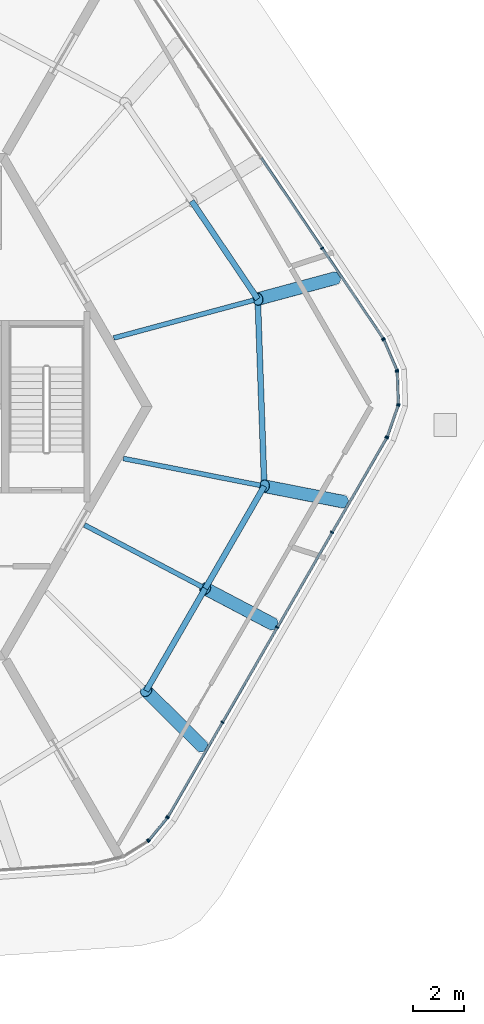
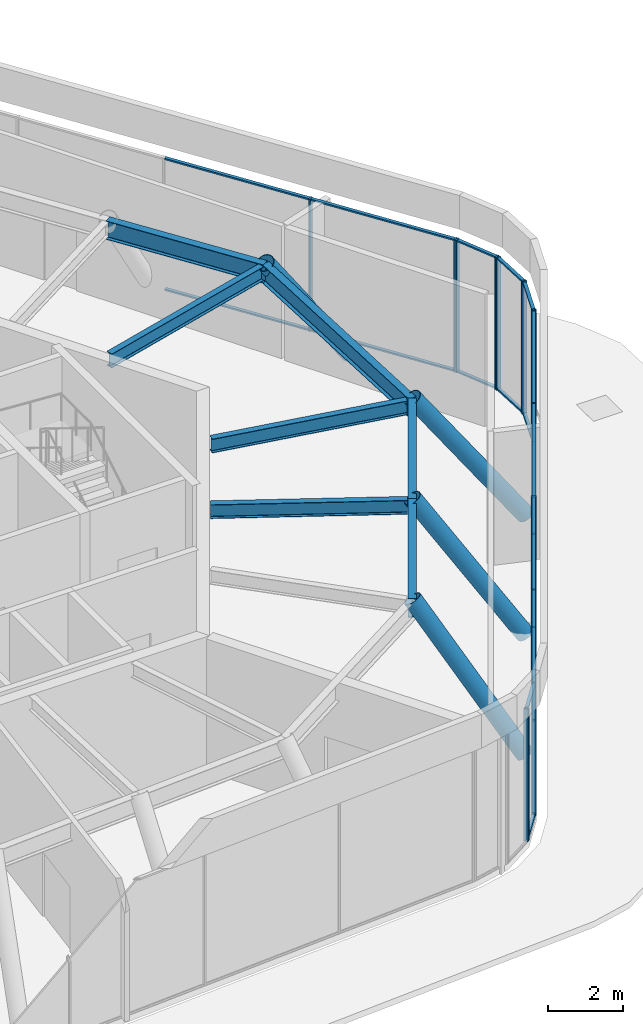
# One storey, part 5 of 12: 40 members, 7 beams, 7 elements without a shape of their own.
"""IFC4 building model written with IfcOpenShell, lengths in metres."""

from ifc_helpers import new_model, si_unit, direction, frame, origin, origin_2d, place, context, subcontext, project, spatial, rectangle, hollow_circle, i_section, extrude, material, material_profile, profile_set, type_object, element, aggregate, save


model = new_model("IFC4")

# Units and contexts
model_context = context("Model", 3, precision=1e-05, world=origin(), true_north=direction((0.0, 1.0)))
body_context = subcontext(model_context, "Body", "Model", "MODEL_VIEW")
ifc_project = project(units=[si_unit("LENGTHUNIT", "METRE"), si_unit("AREAUNIT", "SQUARE_METRE"), si_unit("VOLUMEUNIT", "CUBIC_METRE"), si_unit("PLANEANGLEUNIT", "RADIAN"), si_unit("MASSUNIT", "GRAM", prefix="KILO")], contexts=[model_context])

# Site, building, storey
site_placement = place(None, origin())
site = spatial("IfcSite", under=ifc_project, at=site_placement, CompositionType="ELEMENT")
building_placement = place(site_placement, origin())
building = spatial("IfcBuilding", under=site, at=building_placement, Name="Tarnside Tower", CompositionType="ELEMENT")
storey_placement = place(building_placement, frame((0.0, 0.0, 392.699951171875)))
storey = spatial("IfcBuildingStorey", under=building, at=storey_placement, Name="L93", CompositionType="ELEMENT", Elevation=392.699951171875)

# Curtain wall, members
ifc_material_1 = material(Name="Crown glazing wall", Category="glass")
curtain_wall_type = type_object("IfcCurtainWallType", Name="Crown glazing wall", PredefinedType="NOTDEFINED", material=ifc_material_1)
curtain_wall_1_placement = place(storey_placement, origin())
curtain_wall_1 = element("IfcCurtainWall", 1, at=curtain_wall_1_placement, inside=storey, type_object=curtain_wall_type, Name="Crown glazing L93 04", PredefinedType="NOTDEFINED")
ifc_material_2 = material(Name="Aluminium alloy 6063", Category="aluminium")
ifc_material_profile_1 = material_profile(ifc_material_2, rectangle(XDim=0.139892578125, YDim=0.050048828125, at=origin_2d()), Name="Crown glazing mullion 50 x 140")
ifc_profile_set_1 = profile_set([ifc_material_profile_1], Name="Aluminium alloy 6063")
member_type_1 = type_object("IfcMemberType", Name="Crown glazing mullion 50 x 140", PredefinedType="MULLION", material=ifc_profile_set_1)
member_1_placement = place(storey_placement, frame((18.2548828125, 6.251953125, 0.0), z_axis=(0.0, 0.0, 1.0), x_axis=(0.829037572565, 0.559192903456, 0.0)))
member_1 = element("IfcMember", 2, at=member_1_placement, type_object=member_type_1, Name="CW6 mullion 4", PredefinedType="MULLION", context=body_context, shape_type="SweptSolid", body=[
    extrude(rectangle(XDim=0.139892578125, YDim=0.050048828125, at=origin_2d()), origin(), (0.0, 0.0, 1.0), 4.300048828125),
])
member_2_placement = place(storey_placement, frame((20.660888671875, 2.684814453125, 0.0), z_axis=(0.0, 0.0, 1.0), x_axis=(0.829037572565, 0.559192903456, 0.0)))
member_2 = element("IfcMember", 3, at=member_2_placement, type_object=member_type_1, Name="CW6 mullion 5", PredefinedType="MULLION", context=body_context, shape_type="SweptSolid", body=[
    extrude(rectangle(XDim=0.139892578125, YDim=0.050048828125, at=origin_2d()), origin(), (0.0, 0.0, 1.0), 4.300048828125),
])

curtain_wall_2_placement = place(storey_placement, origin())
curtain_wall_2 = element("IfcCurtainWall", 4, at=curtain_wall_2_placement, inside=storey, type_object=curtain_wall_type, Name="Crown glazing L93 05", PredefinedType="NOTDEFINED")
member_3_placement = place(storey_placement, frame((20.684814453125, 2.64111328125, 0.0), z_axis=(0.0, 0.0, 1.0), x_axis=(0.918216106924, 0.396079765938, 0.0)))
member_3 = element("IfcMember", 5, at=member_3_placement, type_object=member_type_1, Name="CW6 mullion 1", PredefinedType="MULLION", context=body_context, shape_type="SweptSolid", body=[
    extrude(rectangle(XDim=0.139892578125, YDim=0.050048828125, at=origin_2d()), origin(), (0.0, 0.0, 1.0), 4.300048828125),
])
member_4_placement = place(storey_placement, frame((21.204833984375, 1.435302734375, 0.0), z_axis=(0.0, 0.0, 1.0), x_axis=(0.918216106924, 0.396079765938, 0.0)))
member_4 = element("IfcMember", 6, at=member_4_placement, type_object=member_type_1, Name="CW6 mullion 2", PredefinedType="MULLION", context=body_context, shape_type="SweptSolid", body=[
    extrude(rectangle(XDim=0.139892578125, YDim=0.050048828125, at=origin_2d()), origin(), (0.0, 0.0, 1.0), 4.300048828125),
])

curtain_wall_3_placement = place(storey_placement, origin())
curtain_wall_3 = element("IfcCurtainWall", 7, at=curtain_wall_3_placement, inside=storey, type_object=curtain_wall_type, Name="Crown glazing L93 06", PredefinedType="NOTDEFINED")
member_5_placement = place(storey_placement, frame((21.215576171875, 1.387451171875, 0.0), z_axis=(0.0, 0.0, 1.0), x_axis=(0.999390827004, 0.034899497121, 0.0)))
member_5 = element("IfcMember", 8, at=member_5_placement, type_object=member_type_1, Name="CW6 mullion 1", PredefinedType="MULLION", context=body_context, shape_type="SweptSolid", body=[
    extrude(rectangle(XDim=0.139892578125, YDim=0.050048828125, at=origin_2d()), origin(), (0.0, 0.0, 1.0), 4.300048828125),
])
member_6_placement = place(storey_placement, frame((21.2607421875, 0.095947265625, 0.0), z_axis=(0.0, 0.0, 1.0), x_axis=(0.999390827004, 0.034899497121, 0.0)))
member_6 = element("IfcMember", 9, at=member_6_placement, type_object=member_type_1, Name="CW6 mullion 2", PredefinedType="MULLION", context=body_context, shape_type="SweptSolid", body=[
    extrude(rectangle(XDim=0.139892578125, YDim=0.050048828125, at=origin_2d()), origin(), (0.0, 0.0, 1.0), 4.300048828125),
])

curtain_wall_4_placement = place(storey_placement, origin())
curtain_wall_4 = element("IfcCurtainWall", 10, at=curtain_wall_4_placement, inside=storey, type_object=curtain_wall_type, Name="Crown glazing L93 07", PredefinedType="NOTDEFINED")
member_7_placement = place(storey_placement, frame((21.25341796875, 0.04736328125, 0.0), z_axis=(0.0, 0.0, 1.0), x_axis=(0.943608506424, -0.331063417797, 0.0)))
member_7 = element("IfcMember", 11, at=member_7_placement, type_object=member_type_1, Name="CW6 mullion 1", PredefinedType="MULLION", context=body_context, shape_type="SweptSolid", body=[
    extrude(rectangle(XDim=0.139892578125, YDim=0.050048828125, at=origin_2d()), origin(), (0.0, 0.0, 1.0), 4.300048828125),
])
member_8_placement = place(storey_placement, frame((20.818603515625, -1.19189453125, 0.0), z_axis=(0.0, 0.0, 1.0), x_axis=(0.943608506424, -0.331063417797, 0.0)))
member_8 = element("IfcMember", 12, at=member_8_placement, type_object=member_type_1, Name="CW6 mullion 2", PredefinedType="MULLION", context=body_context, shape_type="SweptSolid", body=[
    extrude(rectangle(XDim=0.139892578125, YDim=0.050048828125, at=origin_2d()), origin(), (0.0, 0.0, 1.0), 4.300048828125),
])

curtain_wall_5_placement = place(storey_placement, origin())
curtain_wall_5 = element("IfcCurtainWall", 13, at=curtain_wall_5_placement, inside=storey, type_object=curtain_wall_type, Name="Crown glazing L93 08", PredefinedType="NOTDEFINED")
member_9_placement = place(storey_placement, frame((20.7978515625, -1.237060546875, 0.0), z_axis=(0.0, 0.0, 1.0), x_axis=(0.866025403758, -0.500000000045, 0.0)))
member_9 = element("IfcMember", 14, at=member_9_placement, type_object=member_type_1, Name="CW6 mullion 1", PredefinedType="MULLION", context=body_context, shape_type="SweptSolid", body=[
    extrude(rectangle(XDim=0.139892578125, YDim=0.050048828125, at=origin_2d()), origin(), (0.0, 0.0, 1.0), 4.300048828125),
])
member_10_placement = place(storey_placement, frame((18.646484375, -4.96337890625, 0.0), z_axis=(0.0, 0.0, 1.0), x_axis=(0.866025403758, -0.500000000045, 0.0)))
member_10 = element("IfcMember", 15, at=member_10_placement, type_object=member_type_1, Name="CW6 mullion 2", PredefinedType="MULLION", context=body_context, shape_type="SweptSolid", body=[
    extrude(rectangle(XDim=0.139892578125, YDim=0.050048828125, at=origin_2d()), origin(), (0.0, 0.0, 1.0), 4.300048828125),
])
member_11_placement = place(storey_placement, frame((16.482666015625, -8.7109375, 0.0), z_axis=(0.0, 0.0, 1.0), x_axis=(0.866025403758, -0.500000000045, 0.0)))
member_11 = element("IfcMember", 16, at=member_11_placement, type_object=member_type_1, Name="CW6 mullion 3", PredefinedType="MULLION", context=body_context, shape_type="SweptSolid", body=[
    extrude(rectangle(XDim=0.139892578125, YDim=0.050048828125, at=origin_2d()), origin(), (0.0, 0.0, 1.0), 4.300048828125),
])
member_12_placement = place(storey_placement, frame((14.319091796875, -12.458740234375, 0.0), z_axis=(0.0, 0.0, 1.0), x_axis=(0.866025403758, -0.500000000045, 0.0)))
member_12 = element("IfcMember", 17, at=member_12_placement, type_object=member_type_1, Name="CW6 mullion 4", PredefinedType="MULLION", context=body_context, shape_type="SweptSolid", body=[
    extrude(rectangle(XDim=0.139892578125, YDim=0.050048828125, at=origin_2d()), origin(), (0.0, 0.0, 1.0), 4.300048828125),
])
member_13_placement = place(storey_placement, frame((12.167724609375, -16.184814453125, 0.0), z_axis=(0.0, 0.0, 1.0), x_axis=(0.866025403758, -0.500000000045, 0.0)))
member_13 = element("IfcMember", 18, at=member_13_placement, type_object=member_type_1, Name="CW6 mullion 5", PredefinedType="MULLION", context=body_context, shape_type="SweptSolid", body=[
    extrude(rectangle(XDim=0.139892578125, YDim=0.050048828125, at=origin_2d()), origin(), (0.0, 0.0, 1.0), 4.300048828125),
])

curtain_wall_6_placement = place(storey_placement, origin())
curtain_wall_6 = element("IfcCurtainWall", 19, at=curtain_wall_6_placement, inside=storey, type_object=curtain_wall_type, Name="Crown glazing L93 09", PredefinedType="NOTDEFINED")
member_14_placement = place(storey_placement, frame((12.139404296875, -16.225830078125, 0.0), z_axis=(0.0, 0.0, 1.0), x_axis=(0.773471592981, -0.633830967097, 0.0)))
member_14 = element("IfcMember", 20, at=member_14_placement, type_object=member_type_1, Name="CW6 mullion 1", PredefinedType="MULLION", context=body_context, shape_type="SweptSolid", body=[
    extrude(rectangle(XDim=0.139892578125, YDim=0.050048828125, at=origin_2d()), origin(), (0.0, 0.0, 1.0), 4.300048828125),
])
member_15_placement = place(storey_placement, frame((11.413818359375, -17.111328125, 0.0), z_axis=(0.0, 0.0, 1.0), x_axis=(0.773471592981, -0.633830967097, 0.0)))
member_15 = element("IfcMember", 21, at=member_15_placement, type_object=member_type_1, Name="CW6 mullion 2", PredefinedType="MULLION", context=body_context, shape_type="SweptSolid", body=[
    extrude(rectangle(XDim=0.139892578125, YDim=0.050048828125, at=origin_2d()), origin(), (0.0, 0.0, 1.0), 4.300048828125),
])

# Curtain wall, member
curtain_wall_7_placement = place(storey_placement, origin())
curtain_wall_7 = element("IfcCurtainWall", 22, at=curtain_wall_7_placement, inside=storey, type_object=curtain_wall_type, Name="Crown glazing L93 10", PredefinedType="NOTDEFINED")
member_16_placement = place(storey_placement, frame((11.376708984375, -17.143798828125, 0.0), z_axis=(0.0, 0.0, 1.0), x_axis=(0.5299192641, -0.84804809624, 0.0)))
member_16 = element("IfcMember", 23, at=member_16_placement, type_object=member_type_1, Name="CW6 mullion 1", PredefinedType="MULLION", context=body_context, shape_type="SweptSolid", body=[
    extrude(rectangle(XDim=0.139892578125, YDim=0.050048828125, at=origin_2d()), origin(), (0.0, 0.0, 1.0), 4.300048828125),
])
aggregate(curtain_wall_7, [member_16])

# Member
ifc_material_profile_2 = material_profile(ifc_material_2, rectangle(XDim=0.10009765625, YDim=0.050048828125, at=origin_2d()), Name="Crown glazing transom 50 x 100")
ifc_profile_set_2 = profile_set([ifc_material_profile_2], Name="Aluminium alloy 6063")
member_type_2 = type_object("IfcMemberType", Name="Crown glazing transom 50 x 100", PredefinedType="USERDEFINED", material=ifc_profile_set_2)
member_17_placement = place(storey_placement, frame((15.848876953125, 9.81884765625, 0.025146484375), z_axis=(0.559222865154, -0.829017362356, 0.0), x_axis=(0.829017362356, 0.559222865154, 0.0)))
member_17 = element("IfcMember", 24, at=member_17_placement, type_object=member_type_2, Name="CW6 transom 3.1", ObjectType="TRANSOM", PredefinedType="USERDEFINED", context=body_context, shape_type="SweptSolid", body=[
    extrude(rectangle(XDim=0.10009765625, YDim=0.050048828125, at=origin_2d()), origin(), (0.0, 0.0, 1.0), 4.277587890625),
])

member_18_placement = place(storey_placement, frame((15.848876953125, 9.81884765625, 4.275146484375), z_axis=(0.559222865154, -0.829017362356, 0.0), x_axis=(0.829017362356, 0.559222865154, 0.0)))
member_18 = element("IfcMember", 25, at=member_18_placement, type_object=member_type_2, Name="CW6 transom 3.2", ObjectType="TRANSOM", PredefinedType="USERDEFINED", context=body_context, shape_type="SweptSolid", body=[
    extrude(rectangle(XDim=0.10009765625, YDim=0.050048828125, at=origin_2d()), origin(), (0.0, 0.0, 1.0), 4.277587890625),
])

member_19_placement = place(storey_placement, frame((18.268798828125, 6.231201171875, 0.025146484375), z_axis=(0.559209574091, -0.829026327836, 0.0), x_axis=(0.829026327836, 0.559209574091, 0.0)))
member_19 = element("IfcMember", 26, at=member_19_placement, type_object=member_type_2, Name="CW6 transom 4.1", ObjectType="TRANSOM", PredefinedType="USERDEFINED", context=body_context, shape_type="SweptSolid", body=[
    extrude(rectangle(XDim=0.10009765625, YDim=0.050048828125, at=origin_2d()), origin(), (0.0, 0.0, 1.0), 4.252685546875),
])

member_20_placement = place(storey_placement, frame((18.268798828125, 6.231201171875, 4.275146484375), z_axis=(0.559209574091, -0.829026327836, 0.0), x_axis=(0.829026327836, 0.559209574091, 0.0)))
member_20 = element("IfcMember", 27, at=member_20_placement, type_object=member_type_2, Name="CW6 transom 4.2", ObjectType="TRANSOM", PredefinedType="USERDEFINED", context=body_context, shape_type="SweptSolid", body=[
    extrude(rectangle(XDim=0.10009765625, YDim=0.050048828125, at=origin_2d()), origin(), (0.0, 0.0, 1.0), 4.252685546875),
])

aggregate(curtain_wall_1, [member_1, member_2, member_17, member_18, member_19, member_20])

member_21_placement = place(storey_placement, frame((20.694580078125, 2.6181640625, 0.025146484375), z_axis=(0.396180566146, -0.918172619396, 0.0), x_axis=(0.918172619396, 0.396180566146, 0.0)))
member_21 = element("IfcMember", 28, at=member_21_placement, type_object=member_type_2, Name="CW6 transom 1.1", ObjectType="TRANSOM", PredefinedType="USERDEFINED", context=body_context, shape_type="SweptSolid", body=[
    extrude(rectangle(XDim=0.10009765625, YDim=0.050048828125, at=origin_2d()), origin(), (0.0, 0.0, 1.0), 1.26318359375),
])

member_22_placement = place(storey_placement, frame((20.694580078125, 2.6181640625, 4.275146484375), z_axis=(0.396180566146, -0.918172619396, 0.0), x_axis=(0.918172619396, 0.396180566146, 0.0)))
member_22 = element("IfcMember", 29, at=member_22_placement, type_object=member_type_2, Name="CW6 transom 1.2", ObjectType="TRANSOM", PredefinedType="USERDEFINED", context=body_context, shape_type="SweptSolid", body=[
    extrude(rectangle(XDim=0.10009765625, YDim=0.050048828125, at=origin_2d()), origin(), (0.0, 0.0, 1.0), 1.26318359375),
])

aggregate(curtain_wall_2, [member_3, member_4, member_21, member_22])

member_23_placement = place(storey_placement, frame((21.216552734375, 1.362548828125, 0.025146484375), z_axis=(0.034780360107, -0.999394980251, 0.0), x_axis=(0.999394980251, 0.034780360107, 0.0)))
member_23 = element("IfcMember", 30, at=member_23_placement, type_object=member_type_2, Name="CW6 transom 1.1", ObjectType="TRANSOM", PredefinedType="USERDEFINED", context=body_context, shape_type="SweptSolid", body=[
    extrude(rectangle(XDim=0.10009765625, YDim=0.050048828125, at=origin_2d()), origin(), (0.0, 0.0, 1.0), 1.242431640625),
])

member_24_placement = place(storey_placement, frame((21.216552734375, 1.362548828125, 4.275146484375), z_axis=(0.034780360107, -0.999394980251, 0.0), x_axis=(0.999394980251, 0.034780360107, 0.0)))
member_24 = element("IfcMember", 31, at=member_24_placement, type_object=member_type_2, Name="CW6 transom 1.2", ObjectType="TRANSOM", PredefinedType="USERDEFINED", context=body_context, shape_type="SweptSolid", body=[
    extrude(rectangle(XDim=0.10009765625, YDim=0.050048828125, at=origin_2d()), origin(), (0.0, 0.0, 1.0), 1.242431640625),
])

aggregate(curtain_wall_3, [member_5, member_6, member_23, member_24])

member_25_placement = place(storey_placement, frame((21.2451171875, 0.023681640625, 0.025146484375), z_axis=(-0.331090732219, -0.943598922763, 0.0), x_axis=(0.943598922763, -0.331090732219, 0.0)))
member_25 = element("IfcMember", 32, at=member_25_placement, type_object=member_type_2, Name="CW6 transom 1.1", ObjectType="TRANSOM", PredefinedType="USERDEFINED", context=body_context, shape_type="SweptSolid", body=[
    extrude(rectangle(XDim=0.10009765625, YDim=0.050048828125, at=origin_2d()), origin(), (0.0, 0.0, 1.0), 1.26318359375),
])

member_26_placement = place(storey_placement, frame((21.2451171875, 0.023681640625, 4.275146484375), z_axis=(-0.331090732219, -0.943598922763, 0.0), x_axis=(0.943598922763, -0.331090732219, 0.0)))
member_26 = element("IfcMember", 33, at=member_26_placement, type_object=member_type_2, Name="CW6 transom 1.2", ObjectType="TRANSOM", PredefinedType="USERDEFINED", context=body_context, shape_type="SweptSolid", body=[
    extrude(rectangle(XDim=0.10009765625, YDim=0.050048828125, at=origin_2d()), origin(), (0.0, 0.0, 1.0), 1.26318359375),
])

aggregate(curtain_wall_4, [member_7, member_8, member_25, member_26])

member_27_placement = place(storey_placement, frame((20.785400390625, -1.2587890625, 0.025146484375), z_axis=(-0.500028898749, -0.866008718441, 0.0), x_axis=(0.866008718441, -0.500028898749, 0.0)))
member_27 = element("IfcMember", 34, at=member_27_placement, type_object=member_type_2, Name="CW6 transom 1.1", ObjectType="TRANSOM", PredefinedType="USERDEFINED", context=body_context, shape_type="SweptSolid", body=[
    extrude(rectangle(XDim=0.10009765625, YDim=0.050048828125, at=origin_2d()), origin(), (0.0, 0.0, 1.0), 4.252685546875),
])

member_28_placement = place(storey_placement, frame((20.785400390625, -1.2587890625, 4.275146484375), z_axis=(-0.500028898749, -0.866008718441, 0.0), x_axis=(0.866008718441, -0.500028898749, 0.0)))
member_28 = element("IfcMember", 35, at=member_28_placement, type_object=member_type_2, Name="CW6 transom 1.2", ObjectType="TRANSOM", PredefinedType="USERDEFINED", context=body_context, shape_type="SweptSolid", body=[
    extrude(rectangle(XDim=0.10009765625, YDim=0.050048828125, at=origin_2d()), origin(), (0.0, 0.0, 1.0), 4.252685546875),
])

member_29_placement = place(storey_placement, frame((18.634033203125, -4.98486328125, 0.025146484375), z_axis=(-0.499969479948, -0.866043023828, 0.0), x_axis=(0.866043023828, -0.499969479948, 0.0)))
member_29 = element("IfcMember", 36, at=member_29_placement, type_object=member_type_2, Name="CW6 transom 2.1", ObjectType="TRANSOM", PredefinedType="USERDEFINED", context=body_context, shape_type="SweptSolid", body=[
    extrude(rectangle(XDim=0.10009765625, YDim=0.050048828125, at=origin_2d()), origin(), (0.0, 0.0, 1.0), 4.277587890625),
])

member_30_placement = place(storey_placement, frame((18.634033203125, -4.98486328125, 4.275146484375), z_axis=(-0.499969479948, -0.866043023828, 0.0), x_axis=(0.866043023828, -0.499969479948, 0.0)))
member_30 = element("IfcMember", 37, at=member_30_placement, type_object=member_type_2, Name="CW6 transom 2.2", ObjectType="TRANSOM", PredefinedType="USERDEFINED", context=body_context, shape_type="SweptSolid", body=[
    extrude(rectangle(XDim=0.10009765625, YDim=0.050048828125, at=origin_2d()), origin(), (0.0, 0.0, 1.0), 4.277587890625),
])

member_31_placement = place(storey_placement, frame((16.47021484375, -8.732666015625, 0.025146484375), z_axis=(-0.499969479948, -0.866043023828, 0.0), x_axis=(0.866043023828, -0.499969479948, 0.0)))
member_31 = element("IfcMember", 38, at=member_31_placement, type_object=member_type_2, Name="CW6 transom 3.1", ObjectType="TRANSOM", PredefinedType="USERDEFINED", context=body_context, shape_type="SweptSolid", body=[
    extrude(rectangle(XDim=0.10009765625, YDim=0.050048828125, at=origin_2d()), origin(), (0.0, 0.0, 1.0), 4.277587890625),
])

member_32_placement = place(storey_placement, frame((16.47021484375, -8.732666015625, 4.275146484375), z_axis=(-0.499969479948, -0.866043023828, 0.0), x_axis=(0.866043023828, -0.499969479948, 0.0)))
member_32 = element("IfcMember", 39, at=member_32_placement, type_object=member_type_2, Name="CW6 transom 3.2", ObjectType="TRANSOM", PredefinedType="USERDEFINED", context=body_context, shape_type="SweptSolid", body=[
    extrude(rectangle(XDim=0.10009765625, YDim=0.050048828125, at=origin_2d()), origin(), (0.0, 0.0, 1.0), 4.277587890625),
])

member_33_placement = place(storey_placement, frame((14.306396484375, -12.48046875, 0.025146484375), z_axis=(-0.499985842104, -0.866033577695, 0.0), x_axis=(0.866033577695, -0.499985842104, 0.0)))
member_33 = element("IfcMember", 40, at=member_33_placement, type_object=member_type_2, Name="CW6 transom 4.1", ObjectType="TRANSOM", PredefinedType="USERDEFINED", context=body_context, shape_type="SweptSolid", body=[
    extrude(rectangle(XDim=0.10009765625, YDim=0.050048828125, at=origin_2d()), origin(), (0.0, 0.0, 1.0), 4.25244140625),
])

member_34_placement = place(storey_placement, frame((14.306396484375, -12.48046875, 4.275146484375), z_axis=(-0.499985842104, -0.866033577695, 0.0), x_axis=(0.866033577695, -0.499985842104, 0.0)))
member_34 = element("IfcMember", 41, at=member_34_placement, type_object=member_type_2, Name="CW6 transom 4.2", ObjectType="TRANSOM", PredefinedType="USERDEFINED", context=body_context, shape_type="SweptSolid", body=[
    extrude(rectangle(XDim=0.10009765625, YDim=0.050048828125, at=origin_2d()), origin(), (0.0, 0.0, 1.0), 4.25244140625),
])

aggregate(curtain_wall_5, [member_9, member_10, member_11, member_12, member_13, member_27, member_28, member_29, member_30, member_31, member_32, member_33, member_34])

member_35_placement = place(storey_placement, frame((12.12353515625, -16.2451171875, 0.025146484375), z_axis=(-0.633844849102, -0.77346021699, 0.0), x_axis=(0.77346021699, -0.633844849102, 0.0)))
member_35 = element("IfcMember", 42, at=member_35_placement, type_object=member_type_2, Name="CW6 transom 1.1", ObjectType="TRANSOM", PredefinedType="USERDEFINED", context=body_context, shape_type="SweptSolid", body=[
    extrude(rectangle(XDim=0.10009765625, YDim=0.050048828125, at=origin_2d()), origin(), (0.0, 0.0, 1.0), 1.0947265625),
])

member_36_placement = place(storey_placement, frame((12.12353515625, -16.2451171875, 4.275146484375), z_axis=(-0.633844849102, -0.77346021699, 0.0), x_axis=(0.77346021699, -0.633844849102, 0.0)))
member_36 = element("IfcMember", 43, at=member_36_placement, type_object=member_type_2, Name="CW6 transom 1.2", ObjectType="TRANSOM", PredefinedType="USERDEFINED", context=body_context, shape_type="SweptSolid", body=[
    extrude(rectangle(XDim=0.10009765625, YDim=0.050048828125, at=origin_2d()), origin(), (0.0, 0.0, 1.0), 1.0947265625),
])

aggregate(curtain_wall_6, [member_14, member_15, member_35, member_36])

# Beams
ifc_material_3 = material(Name="Steel S355", Category="steel")
ifc_material_profile_3 = material_profile(ifc_material_3, i_section(OverallWidth=0.18994140625, OverallDepth=0.453369140625, WebThickness=0.008544921875, FlangeThickness=0.0126953125, FilletRadius=0.01025390625, at=origin_2d()), Name="UB 457x191x67")
ifc_profile_set_3 = profile_set([ifc_material_profile_3], Name="Steel S355")
beam_type_1 = type_object("IfcBeamType", Name="Floor beam UB 457x191x67", PredefinedType="BEAM", material=ifc_profile_set_3)
beam_1_placement = place(storey_placement, frame((13.52001953125, -7.114990234375, 4.0732421875), z_axis=(-0.88494343806, 0.465698519898, 0.0), x_axis=(-0.465698519898, -0.88494343806, 0.0)))
element("IfcBeam", 44, at=beam_1_placement, inside=storey, type_object=beam_type_1, Name="Floor beam RB14", PredefinedType="BEAM", context=body_context, shape_type="SweptSolid", body=[
    extrude(i_section(OverallWidth=0.18994140625, OverallDepth=0.453369140625, WebThickness=0.008544921875, FlangeThickness=0.0126953125, FilletRadius=0.01025390625, at=origin_2d()), origin(), (0.0, 0.0, 1.0), 5.250244140625),
])
beam_2_placement = place(storey_placement, frame((15.81298828125, -3.107666015625, 4.0732421875), z_axis=(-0.981226653241, 0.192858121345, 0.0), x_axis=(-0.192858121345, -0.981226653241, 0.0)))
element("IfcBeam", 45, at=beam_2_placement, inside=storey, type_object=beam_type_1, Name="Floor beam RB15", PredefinedType="BEAM", context=body_context, shape_type="SweptSolid", body=[
    extrude(i_section(OverallWidth=0.18994140625, OverallDepth=0.453369140625, WebThickness=0.008544921875, FlangeThickness=0.0126953125, FilletRadius=0.01025390625, at=origin_2d()), origin(), (0.0, 0.0, 1.0), 5.506591796875),
])
beam_3_placement = place(storey_placement, frame((15.557861328125, 4.203125, 4.0732421875), z_axis=(-0.965386598555, -0.26082314953, 0.0), x_axis=(0.26082314953, -0.965386598555, 0.0)))
element("IfcBeam", 46, at=beam_3_placement, inside=storey, type_object=beam_type_1, Name="Floor beam RB16", PredefinedType="BEAM", context=body_context, shape_type="SweptSolid", body=[
    extrude(i_section(OverallWidth=0.18994140625, OverallDepth=0.453369140625, WebThickness=0.008544921875, FlangeThickness=0.0126953125, FilletRadius=0.01025390625, at=origin_2d()), origin(), (0.0, 0.0, 1.0), 5.728515625),
])
ifc_material_profile_4 = material_profile(ifc_material_3, i_section(OverallWidth=0.2275390625, OverallDepth=0.6025390625, WebThickness=0.010498046875, FlangeThickness=0.014892578125, FilletRadius=0.0126953125, at=origin_2d()), Name="UB 610x229x101")
ifc_profile_set_4 = profile_set([ifc_material_profile_4], Name="Steel S355")
beam_type_2 = type_object("IfcBeamType", Name="Floor beam UB 610x229x101", PredefinedType="BEAM", material=ifc_profile_set_4)
beam_4_placement = place(storey_placement, frame((11.306640625, -11.21630859375, 3.998779296875), z_axis=(0.499995857666, 0.866027795349, 0.0), x_axis=(-0.866027795349, 0.499995857666, 0.0)))
element("IfcBeam", 47, at=beam_4_placement, inside=storey, type_object=beam_type_2, Name="Floor beam R13", PredefinedType="BEAM", context=body_context, shape_type="SweptSolid", body=[
    extrude(i_section(OverallWidth=0.2275390625, OverallDepth=0.6025390625, WebThickness=0.010498046875, FlangeThickness=0.014892578125, FilletRadius=0.0126953125, at=origin_2d()), origin(), (0.0, 0.0, 1.0), 4.66357421875),
])
beam_5_placement = place(storey_placement, frame((13.638427734375, -7.177490234375, 3.998779296875), z_axis=(0.500012451049, 0.866018215049, 0.0), x_axis=(-0.866018215049, 0.500012451049, 0.0)))
element("IfcBeam", 48, at=beam_5_placement, inside=storey, type_object=beam_type_2, Name="Floor beam R14", PredefinedType="BEAM", context=body_context, shape_type="SweptSolid", body=[
    extrude(i_section(OverallWidth=0.2275390625, OverallDepth=0.6025390625, WebThickness=0.010498046875, FlangeThickness=0.014892578125, FilletRadius=0.0126953125, at=origin_2d()), origin(), (0.0, 0.0, 1.0), 4.6640625),
])
beam_6_placement = place(storey_placement, frame((15.970458984375, -3.138427734375, 3.998779296875), z_axis=(-0.034897057182, 0.999390912206, 0.0), x_axis=(-0.999390912206, -0.034897057182, 0.0)))
element("IfcBeam", 49, at=beam_6_placement, inside=storey, type_object=beam_type_2, Name="Floor beam R15", PredefinedType="BEAM", context=body_context, shape_type="SweptSolid", body=[
    extrude(i_section(OverallWidth=0.2275390625, OverallDepth=0.6025390625, WebThickness=0.010498046875, FlangeThickness=0.014892578125, FilletRadius=0.0126953125, at=origin_2d()), origin(), (0.0, 0.0, 1.0), 7.3876953125),
])
beam_7_placement = place(storey_placement, frame((15.712646484375, 4.244873046875, 3.998779296875), z_axis=(-0.559221995775, 0.829017948805, 0.0), x_axis=(-0.829017948805, -0.559221995775, 0.0)))
element("IfcBeam", 50, at=beam_7_placement, inside=storey, type_object=beam_type_2, Name="Floor beam R16", PredefinedType="BEAM", context=body_context, shape_type="SweptSolid", body=[
    extrude(i_section(OverallWidth=0.2275390625, OverallDepth=0.6025390625, WebThickness=0.010498046875, FlangeThickness=0.014892578125, FilletRadius=0.0126953125, at=origin_2d()), origin(), (0.0, 0.0, 1.0), 4.663818359375),
])

# Members
ifc_material_profile_5 = material_profile(ifc_material_3, hollow_circle(Radius=0.25390625, WallThickness=0.01611328125, at=origin_2d()), Name="CHS 508x16")
ifc_profile_set_5 = profile_set([ifc_material_profile_5], Name="Steel S355")
member_type_3 = type_object("IfcMemberType", Name="Truss diagonal CHS 508x16", PredefinedType="BRACE", material=ifc_profile_set_5)
member_37_placement = place(storey_placement, frame((13.50927734375, -13.4013671875, -0.199951171875), z_axis=(-0.402977685686, 0.399761725437, 0.823285823827), x_axis=(-0.704268295738, -0.709933917782, 0.0)))
element("IfcMember", 51, at=member_37_placement, inside=storey, type_object=member_type_3, Name="Crown leg L93 13", PredefinedType="BRACE", context=body_context, shape_type="SweptSolid", body=[
    extrude(hollow_circle(Radius=0.25390625, WallThickness=0.01611328125, at=origin_2d()), origin(), (0.0, 0.0, 1.0), 5.4658203125),
])
member_38_placement = place(storey_placement, frame((16.29541015625, -8.57568359375, -0.199951171875), z_axis=(-0.491154497343, 0.258461987162, 0.831844132595), x_axis=(-0.46568945864, -0.884948206457, 0.0)))
element("IfcMember", 52, at=member_38_placement, inside=storey, type_object=member_type_3, Name="Crown leg L93 14", PredefinedType="BRACE", context=body_context, shape_type="SweptSolid", body=[
    extrude(hollow_circle(Radius=0.25390625, WallThickness=0.01611328125, at=origin_2d()), origin(), (0.0, 0.0, 1.0), 5.40966796875),
])
for number, where, z_axis, x_axis, name in (
    (53, (19.08154296875, -3.75, -0.199951171875), (-0.565158020603, 0.111097923692, 0.817467836126), (-0.192886962659, -0.981220984099, 0.0), "Crown leg L93 15"),
    (54, (18.7734375, 5.07177734375, -0.199951171875), (-0.556058442362, -0.15021294818, 0.817456469103), (0.26079072265, -0.965395358897, 0.0), "Crown leg L93 16"),
):
    element("IfcMember", number, at=place(storey_placement, frame(where, z_axis=z_axis, x_axis=x_axis)), inside=storey, type_object=member_type_3, Name=name, PredefinedType="BRACE", context=body_context, shape_type="SweptSolid", body=[
        extrude(hollow_circle(Radius=0.25390625, WallThickness=0.01611328125, at=origin_2d()), origin(), (0.0, 0.0, 1.0), 5.5048828125),
    ])

save(model, "model.ifc")
